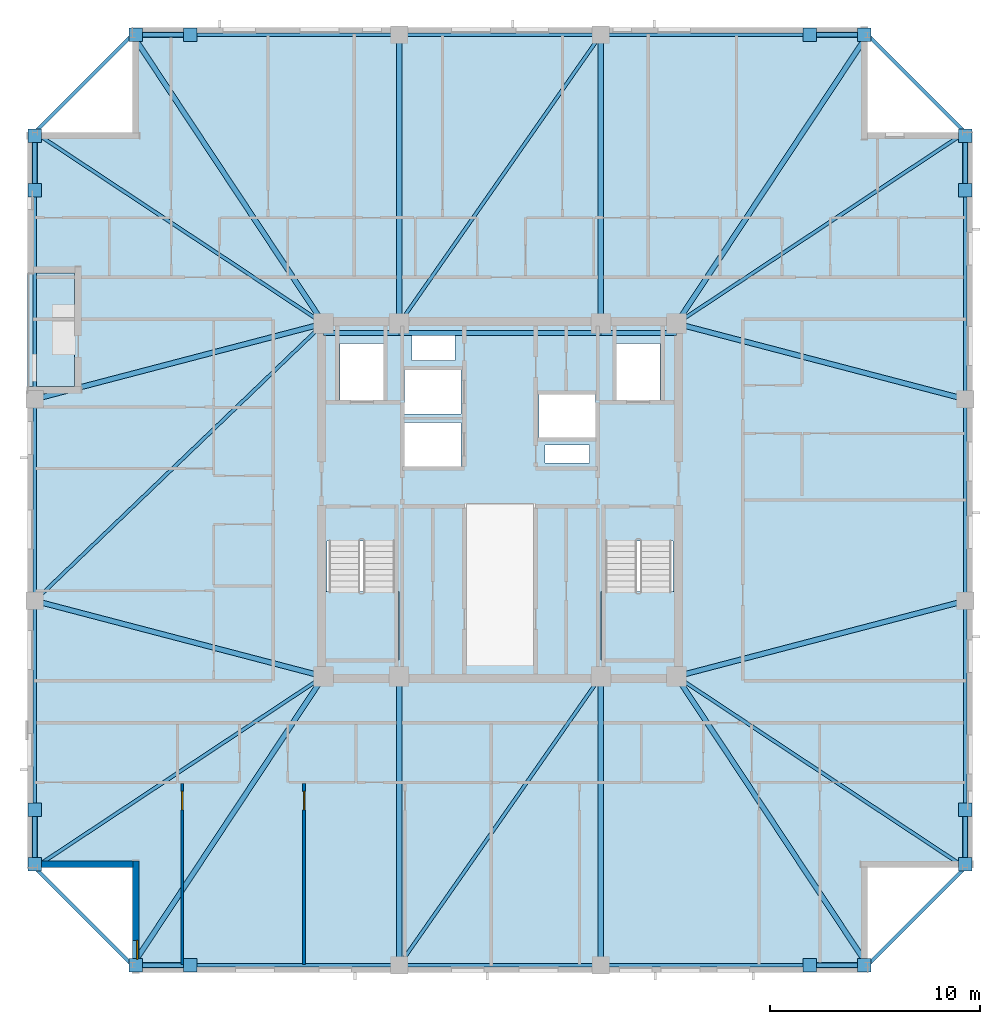
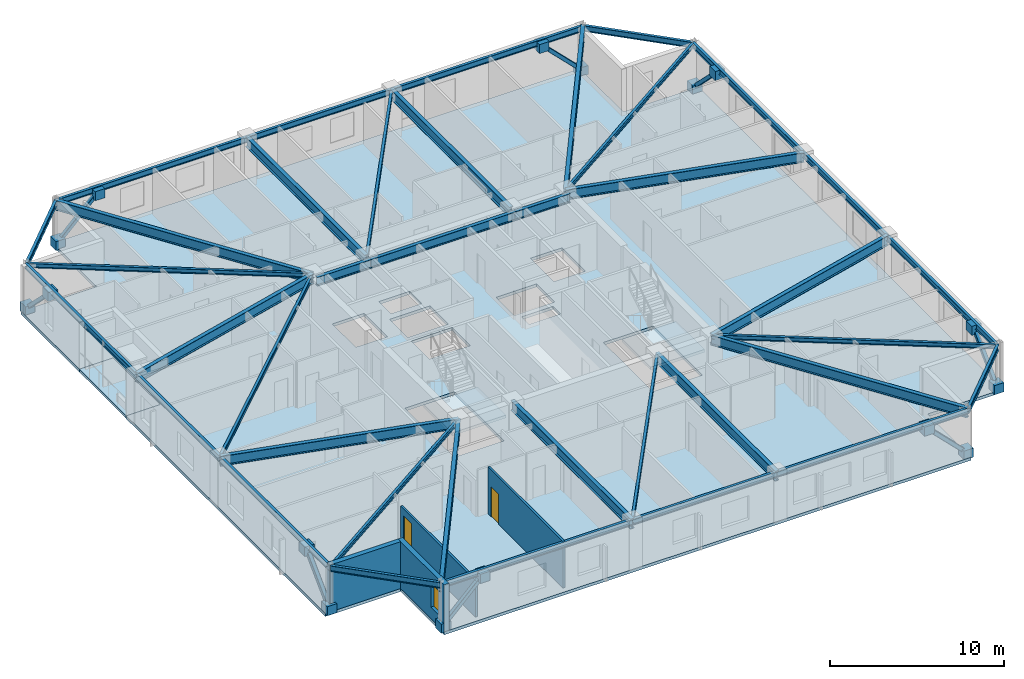
# One storey, part 6 of 17: 38 beams, 16 plates, 8 members, 4 slabs, 4 walls, 2 doors, 1 window, 3 openings, 2 elements without a shape of their own.
"""IFC4 building model written with IfcOpenShell, lengths in metres."""

from ifc_helpers import new_model, si_unit, direction, frame, frame_2d, origin, origin_2d, place, context, subcontext, project, spatial, polyline, rectangle, hollow_rectangle, i_section, outline, extrude, material, layer, layer_set, material_profile, profile_set, type_object, element, fill, aggregate, save


model = new_model("IFC4")

# Units and contexts
model_context = context("Model", 3, precision=1e-05, world=origin(), true_north=direction((0.0, 1.0)))
body_context = subcontext(model_context, "Body", "Model", "MODEL_VIEW")
ifc_project = project(units=[si_unit("LENGTHUNIT", "METRE"), si_unit("AREAUNIT", "SQUARE_METRE"), si_unit("VOLUMEUNIT", "CUBIC_METRE"), si_unit("PLANEANGLEUNIT", "RADIAN"), si_unit("MASSUNIT", "GRAM", prefix="KILO")], contexts=[model_context])

# Site, building, storey
site_placement = place(None, origin())
site = spatial("IfcSite", under=ifc_project, at=site_placement, CompositionType="ELEMENT")
building_placement = place(site_placement, origin())
building = spatial("IfcBuilding", under=site, at=building_placement, Name="Cairnveth Concourse Tower", CompositionType="ELEMENT")
storey_placement = place(building_placement, frame((0.0, 0.0, 227.0)))
storey = spatial("IfcBuildingStorey", under=building, at=storey_placement, Name="L62", CompositionType="ELEMENT", Elevation=227.0)

# Beams
ifc_material_1 = material(Name="Steel Grade 350", Category="steel")
ifc_material_profile_1 = material_profile(ifc_material_1, i_section(OverallWidth=0.22802734375, OverallDepth=0.60693359375, WebThickness=0.01123046875, FlangeThickness=0.017333984375, FilletRadius=0.013916015625, at=origin_2d()), Name="610UB113")
ifc_profile_set_1 = profile_set([ifc_material_profile_1], Name="Steel Grade 350")
beam_type_1 = type_object("IfcBeamType", Name="CORE TIE BEAM 610UB113", PredefinedType="T_BEAM", material=ifc_profile_set_1)
for number, where, z_axis, x_axis, name in (
    (1, (43.60009765625, 46.949951171875, 2.986572265625), (1.0, 0.0, 0.0), (0.0, 1.0, 0.0), "Beam CT-N1 L62"),
    (2, (56.800048828125, 46.949951171875, 2.986572265625), (1.0, 0.0, 0.0), (0.0, 1.0, 0.0), "Beam CT-N3 L62"),
):
    element("IfcBeam", number, at=place(storey_placement, frame(where, z_axis=z_axis, x_axis=x_axis)), inside=storey, type_object=beam_type_1, Name=name, PredefinedType="T_BEAM", context=body_context, shape_type="SweptSolid", body=[
        extrude(i_section(OverallWidth=0.22802734375, OverallDepth=0.60693359375, WebThickness=0.01123046875, FlangeThickness=0.017333984375, FilletRadius=0.013916015625, at=origin_2d()), origin(), (0.0, 0.0, 1.0), 3.599853515625),
    ])
beam_1_placement = place(storey_placement, frame((47.199951171875, 46.949951171875, 2.986572265625), z_axis=(1.0, 0.0, 0.0), x_axis=(0.0, 1.0, 0.0)))
element("IfcBeam", 3, at=beam_1_placement, inside=storey, type_object=beam_type_1, Name="Beam CT-N2 L62", PredefinedType="T_BEAM", context=body_context, shape_type="SweptSolid", body=[
    extrude(i_section(OverallWidth=0.22802734375, OverallDepth=0.60693359375, WebThickness=0.01123046875, FlangeThickness=0.017333984375, FilletRadius=0.013916015625, at=origin_2d()), origin(), (0.0, 0.0, 1.0), 9.60009765625),
])
ifc_material_profile_2 = material_profile(ifc_material_1, i_section(OverallWidth=0.166015625, OverallDepth=0.306884765625, WebThickness=0.006591796875, FlangeThickness=0.01171875, FilletRadius=0.010986328125, at=origin_2d()), Name="310UB46.2")
ifc_profile_set_2 = profile_set([ifc_material_profile_2], Name="Steel Grade 350")
beam_type_2 = type_object("IfcBeamType", Name="ZONE 3 FLOOR JOIST 310UB46.2", PredefinedType="JOIST", material=ifc_profile_set_2)
for number, where, z_axis, x_axis, name in (
    (4, (29.85009765625, 21.5, 3.136474609375), (0.833908956207, 0.551902031848, 0.0), (-0.551902031848, 0.833908956207, 0.0), "Beam FJ-CSW2 L62"),
    (5, (74.14990234375, 21.5, 3.136474609375), (-0.833908956207, 0.551902031848, 0.0), (-0.551902031848, -0.833908956207, 0.0), "Beam FJ-CSE2 L62"),
    (6, (74.14990234375, 56.5, 3.136474609375), (-0.833908956207, -0.551902031848, 0.0), (0.551902031848, -0.833908956207, 0.0), "Beam FJ-CNE2 L62"),
    (7, (29.85009765625, 56.5, 3.136474609375), (0.833908956207, -0.551902031848, 0.0), (0.551902031848, 0.833908956207, 0.0), "Beam FJ-CNW2 L62"),
):
    element("IfcBeam", number, at=place(storey_placement, frame(where, z_axis=z_axis, x_axis=x_axis)), inside=storey, type_object=beam_type_2, Name=name, PredefinedType="JOIST", context=body_context, shape_type="SweptSolid", body=[
        extrude(i_section(OverallWidth=0.166015625, OverallDepth=0.306884765625, WebThickness=0.006591796875, FlangeThickness=0.01171875, FilletRadius=0.010986328125, at=origin_2d()), origin(), (0.0, 0.0, 1.0), 16.488525390625),
    ])
for number, where, z_axis, x_axis, name in (
    (8, (47.199951171875, 16.85009765625, 3.136474609375), (0.572465304893, 0.819928944905, 0.0), (-0.819928944905, 0.572465304893, 0.0), "Beam FJ-S-M1 L62"),
    (9, (47.199951171875, 47.39990234375, 3.136474609375), (0.572465304893, 0.819928944905, 0.0), (-0.819928944905, 0.572465304893, 0.0), "Beam FJ-N-M1 L62"),
):
    element("IfcBeam", number, at=place(storey_placement, frame(where, z_axis=z_axis, x_axis=x_axis)), inside=storey, type_object=beam_type_2, Name=name, PredefinedType="JOIST", context=body_context, shape_type="SweptSolid", body=[
        extrude(i_section(OverallWidth=0.166015625, OverallDepth=0.306884765625, WebThickness=0.006591796875, FlangeThickness=0.01171875, FilletRadius=0.010986328125, at=origin_2d()), origin(), (0.0, 0.0, 1.0), 16.769775390625),
    ])
beam_2_placement = place(storey_placement, frame((29.85009765625, 34.199951171875, 3.136474609375), z_axis=(0.721388600838, 0.692530495055, 0.0), x_axis=(-0.692530495055, 0.721388600838, 0.0)))
element("IfcBeam", 10, at=beam_2_placement, inside=storey, type_object=beam_type_2, Name="Beam FJ-W-M1 L62", PredefinedType="JOIST", context=body_context, shape_type="SweptSolid", body=[
    extrude(i_section(OverallWidth=0.166015625, OverallDepth=0.306884765625, WebThickness=0.006591796875, FlangeThickness=0.01171875, FilletRadius=0.010986328125, at=origin_2d()), origin(), (0.0, 0.0, 1.0), 19.060546875),
])

# Members
ifc_material_2 = material(Name="Steel C350L0 (350 MPa)", Category="steel")
ifc_material_profile_3 = material_profile(ifc_material_2, hollow_rectangle(XDim=0.25, YDim=0.25, WallThickness=0.012451171875, InnerFilletRadius=0.012939453125, OuterFilletRadius=0.02490234375, at=origin_2d()), Name="250x250x12.5SHS")
ifc_profile_set_3 = profile_set([ifc_material_profile_3], Name="Steel C350L0 (350 MPa)")
member_type = type_object("IfcMemberType", Name="ZONE 3 PIER BRACE 250X250X12.5SHS", PredefinedType="BRACE", material=ifc_profile_set_3)
for number, where, z_axis, x_axis, name in (
    (11, (34.64990234375, 16.85009765625, 0.25), (0.708469186186, 0.0, 0.705741746126), (0.0, 1.0, 0.0), "Structural Brace PB-S1 L62"),
    (12, (69.35009765625, 16.85009765625, 0.25), (-0.708469186186, 0.0, 0.705741746126), (0.0, -1.0, 0.0), "Structural Brace PB-S2 L62"),
    (13, (34.64990234375, 61.14990234375, 0.25), (0.708469186186, 0.0, 0.705741746126), (0.0, 1.0, 0.0), "Structural Brace PB-N1 L62"),
    (14, (69.35009765625, 61.14990234375, 0.25), (-0.708469186186, 0.0, 0.705741746126), (0.0, -1.0, 0.0), "Structural Brace PB-N2 L62"),
    (15, (29.85009765625, 21.64990234375, 0.25), (0.0, 0.708469186186, 0.705741746126), (-1.0, 0.0, 0.0), "Structural Brace PB-W1 L62"),
    (16, (29.85009765625, 56.35009765625, 0.25), (0.0, -0.708469186186, 0.705741746126), (1.0, 0.0, 0.0), "Structural Brace PB-W2 L62"),
    (17, (74.14990234375, 21.64990234375, 0.25), (0.0, 0.708469186186, 0.705741746126), (-1.0, 0.0, 0.0), "Structural Brace PB-E1 L62"),
    (18, (74.14990234375, 56.35009765625, 0.25), (0.0, -0.708469186186, 0.705741746126), (1.0, 0.0, 0.0), "Structural Brace PB-E2 L62"),
):
    element("IfcMember", number, at=place(storey_placement, frame(where, z_axis=z_axis, x_axis=x_axis)), inside=storey, type_object=member_type, Name=name, PredefinedType="BRACE", context=body_context, shape_type="SweptSolid", body=[
        extrude(hollow_rectangle(XDim=0.25, YDim=0.25, WallThickness=0.012451171875, InnerFilletRadius=0.012939453125, OuterFilletRadius=0.02490234375, at=origin_2d()), origin(), (0.0, 0.0, 1.0), 3.669921875),
    ])

# Beams
ifc_material_profile_4 = material_profile(ifc_material_1, i_section(OverallWidth=0.25, OverallDepth=0.69189453125, WebThickness=0.010009765625, FlangeThickness=0.02490234375, at=origin_2d()), Name="700WB150")
ifc_profile_set_4 = profile_set([ifc_material_profile_4], Name="Steel Grade 350")
beam_type_3 = type_object("IfcBeamType", Name="ZONE 3 RADIAL GIRDER 700WB150", PredefinedType="BEAM", material=ifc_profile_set_4)
for number, where, z_axis, x_axis, name in (
    (19, (47.199951171875, 16.85009765625, 2.944091796875), (0.0, 1.0, 0.0), (-1.0, 0.0, 0.0), "Beam RG-S1 L62"),
    (20, (56.800048828125, 16.85009765625, 2.944091796875), (0.0, 1.0, 0.0), (-1.0, 0.0, 0.0), "Beam RG-S2 L62"),
    (21, (47.199951171875, 47.39990234375, 2.944091796875), (0.0, 1.0, 0.0), (-1.0, 0.0, 0.0), "Beam RG-N1 L62"),
    (22, (56.800048828125, 47.39990234375, 2.944091796875), (0.0, 1.0, 0.0), (-1.0, 0.0, 0.0), "Beam RG-N2 L62"),
):
    element("IfcBeam", number, at=place(storey_placement, frame(where, z_axis=z_axis, x_axis=x_axis)), inside=storey, type_object=beam_type_3, Name=name, PredefinedType="BEAM", context=body_context, shape_type="SweptSolid", body=[
        extrude(i_section(OverallWidth=0.25, OverallDepth=0.69189453125, WebThickness=0.010009765625, FlangeThickness=0.02490234375, at=origin_2d()), origin(), (0.0, 0.0, 1.0), 13.75),
    ])
for number, where, z_axis, x_axis, name in (
    (23, (29.85009765625, 34.199951171875, 2.944091796875), (0.967395273598, -0.253271365575, 0.0), (0.253271365575, 0.967395273598, 0.0), "Beam RG-W1 L62"),
    (24, (29.85009765625, 43.800048828125, 2.944091796875), (0.967395273598, 0.253271365575, 0.0), (-0.253271365575, 0.967395273598, 0.0), "Beam RG-W2 L62"),
    (25, (60.39990234375, 30.60009765625, 2.944091796875), (0.967395273598, 0.253271365575, 0.0), (-0.253271365575, 0.967395273598, 0.0), "Beam RG-E1 L62"),
    (26, (60.39990234375, 47.39990234375, 2.944091796875), (0.967395273598, -0.253271365575, 0.0), (0.253271365575, 0.967395273598, 0.0), "Beam RG-E2 L62"),
):
    element("IfcBeam", number, at=place(storey_placement, frame(where, z_axis=z_axis, x_axis=x_axis)), inside=storey, type_object=beam_type_3, Name=name, PredefinedType="BEAM", context=body_context, shape_type="SweptSolid", body=[
        extrude(i_section(OverallWidth=0.25, OverallDepth=0.69189453125, WebThickness=0.010009765625, FlangeThickness=0.02490234375, at=origin_2d()), origin(), (0.0, 0.0, 1.0), 14.21337890625),
    ])
for number, where, z_axis, x_axis, name in (
    (27, (34.5, 16.85009765625, 2.944091796875), (0.551902031848, 0.833908956207, 0.0), (-0.833908956207, 0.551902031848, 0.0), "Beam RG-CSW L62"),
    (28, (69.5, 16.85009765625, 2.944091796875), (-0.551902031848, 0.833908956207, 0.0), (-0.833908956207, -0.551902031848, 0.0), "Beam RG-CSE L62"),
    (29, (69.5, 61.14990234375, 2.944091796875), (-0.551902031848, -0.833908956207, 0.0), (0.833908956207, -0.551902031848, 0.0), "Beam RG-CNE L62"),
    (30, (34.5, 61.14990234375, 2.944091796875), (0.551902031848, -0.833908956207, 0.0), (0.833908956207, 0.551902031848, 0.0), "Beam RG-CNW L62"),
):
    element("IfcBeam", number, at=place(storey_placement, frame(where, z_axis=z_axis, x_axis=x_axis)), inside=storey, type_object=beam_type_3, Name=name, PredefinedType="BEAM", context=body_context, shape_type="SweptSolid", body=[
        extrude(i_section(OverallWidth=0.25, OverallDepth=0.69189453125, WebThickness=0.010009765625, FlangeThickness=0.02490234375, at=origin_2d()), origin(), (0.0, 0.0, 1.0), 16.488525390625),
    ])
ifc_material_profile_5 = material_profile(ifc_material_1, i_section(OverallWidth=0.177978515625, OverallDepth=0.406005859375, WebThickness=0.0078125, FlangeThickness=0.0126953125, FilletRadius=0.010986328125, at=origin_2d()), Name="410UB59.7")
ifc_profile_set_5 = profile_set([ifc_material_profile_5], Name="Steel Grade 350")
beam_type_4 = type_object("IfcBeamType", Name="ZONE 3 SPANDREL BEAM 410UB59.7", PredefinedType="SPANDREL", material=ifc_profile_set_5)
beam_3_placement = place(storey_placement, frame((34.5, 16.85009765625, 3.0869140625), z_axis=(1.0, 0.0, 0.0), x_axis=(0.0, 1.0, 0.0)))
element("IfcBeam", 31, at=beam_3_placement, inside=storey, type_object=beam_type_4, Name="Beam SP-S1 L62", PredefinedType="SPANDREL", context=body_context, shape_type="SweptSolid", body=[
    extrude(i_section(OverallWidth=0.177978515625, OverallDepth=0.406005859375, WebThickness=0.0078125, FlangeThickness=0.0126953125, FilletRadius=0.010986328125, at=origin_2d()), origin(), (0.0, 0.0, 1.0), 12.699951171875),
])
beam_4_placement = place(storey_placement, frame((47.199951171875, 16.85009765625, 3.0869140625), z_axis=(1.0, 0.0, 0.0), x_axis=(0.0, 1.0, 0.0)))
element("IfcBeam", 32, at=beam_4_placement, inside=storey, type_object=beam_type_4, Name="Beam SP-S2 L62", PredefinedType="SPANDREL", context=body_context, shape_type="SweptSolid", body=[
    extrude(i_section(OverallWidth=0.177978515625, OverallDepth=0.406005859375, WebThickness=0.0078125, FlangeThickness=0.0126953125, FilletRadius=0.010986328125, at=origin_2d()), origin(), (0.0, 0.0, 1.0), 9.60009765625),
])
for number, where, z_axis, x_axis, name in (
    (33, (56.800048828125, 16.85009765625, 3.0869140625), (1.0, 0.0, 0.0), (0.0, 1.0, 0.0), "Beam SP-S3 L62"),
    (34, (34.5, 61.14990234375, 3.0869140625), (1.0, 0.0, 0.0), (0.0, 1.0, 0.0), "Beam SP-N1 L62"),
):
    element("IfcBeam", number, at=place(storey_placement, frame(where, z_axis=z_axis, x_axis=x_axis)), inside=storey, type_object=beam_type_4, Name=name, PredefinedType="SPANDREL", context=body_context, shape_type="SweptSolid", body=[
        extrude(i_section(OverallWidth=0.177978515625, OverallDepth=0.406005859375, WebThickness=0.0078125, FlangeThickness=0.0126953125, FilletRadius=0.010986328125, at=origin_2d()), origin(), (0.0, 0.0, 1.0), 12.699951171875),
    ])
beam_5_placement = place(storey_placement, frame((47.199951171875, 61.14990234375, 3.0869140625), z_axis=(1.0, 0.0, 0.0), x_axis=(0.0, 1.0, 0.0)))
element("IfcBeam", 35, at=beam_5_placement, inside=storey, type_object=beam_type_4, Name="Beam SP-N2 L62", PredefinedType="SPANDREL", context=body_context, shape_type="SweptSolid", body=[
    extrude(i_section(OverallWidth=0.177978515625, OverallDepth=0.406005859375, WebThickness=0.0078125, FlangeThickness=0.0126953125, FilletRadius=0.010986328125, at=origin_2d()), origin(), (0.0, 0.0, 1.0), 9.60009765625),
])
for number, where, z_axis, x_axis, name in (
    (36, (56.800048828125, 61.14990234375, 3.0869140625), (1.0, 0.0, 0.0), (0.0, 1.0, 0.0), "Beam SP-N3 L62"),
    (37, (29.85009765625, 21.5, 3.0869140625), (0.0, 1.0, 0.0), (-1.0, 0.0, 0.0), "Beam SP-W1 L62"),
):
    element("IfcBeam", number, at=place(storey_placement, frame(where, z_axis=z_axis, x_axis=x_axis)), inside=storey, type_object=beam_type_4, Name=name, PredefinedType="SPANDREL", context=body_context, shape_type="SweptSolid", body=[
        extrude(i_section(OverallWidth=0.177978515625, OverallDepth=0.406005859375, WebThickness=0.0078125, FlangeThickness=0.0126953125, FilletRadius=0.010986328125, at=origin_2d()), origin(), (0.0, 0.0, 1.0), 12.699951171875),
    ])
beam_6_placement = place(storey_placement, frame((29.85009765625, 34.199951171875, 3.0869140625), z_axis=(0.0, 1.0, 0.0), x_axis=(-1.0, 0.0, 0.0)))
element("IfcBeam", 38, at=beam_6_placement, inside=storey, type_object=beam_type_4, Name="Beam SP-W2 L62", PredefinedType="SPANDREL", context=body_context, shape_type="SweptSolid", body=[
    extrude(i_section(OverallWidth=0.177978515625, OverallDepth=0.406005859375, WebThickness=0.0078125, FlangeThickness=0.0126953125, FilletRadius=0.010986328125, at=origin_2d()), origin(), (0.0, 0.0, 1.0), 9.60009765625),
])
for number, where, z_axis, x_axis, name in (
    (39, (29.85009765625, 43.800048828125, 3.0869140625), (0.0, 1.0, 0.0), (-1.0, 0.0, 0.0), "Beam SP-W3 L62"),
    (40, (74.14990234375, 21.5, 3.0869140625), (0.0, 1.0, 0.0), (-1.0, 0.0, 0.0), "Beam SP-E1 L62"),
):
    element("IfcBeam", number, at=place(storey_placement, frame(where, z_axis=z_axis, x_axis=x_axis)), inside=storey, type_object=beam_type_4, Name=name, PredefinedType="SPANDREL", context=body_context, shape_type="SweptSolid", body=[
        extrude(i_section(OverallWidth=0.177978515625, OverallDepth=0.406005859375, WebThickness=0.0078125, FlangeThickness=0.0126953125, FilletRadius=0.010986328125, at=origin_2d()), origin(), (0.0, 0.0, 1.0), 12.699951171875),
    ])
beam_7_placement = place(storey_placement, frame((74.14990234375, 34.199951171875, 3.0869140625), z_axis=(0.0, 1.0, 0.0), x_axis=(-1.0, 0.0, 0.0)))
element("IfcBeam", 41, at=beam_7_placement, inside=storey, type_object=beam_type_4, Name="Beam SP-E2 L62", PredefinedType="SPANDREL", context=body_context, shape_type="SweptSolid", body=[
    extrude(i_section(OverallWidth=0.177978515625, OverallDepth=0.406005859375, WebThickness=0.0078125, FlangeThickness=0.0126953125, FilletRadius=0.010986328125, at=origin_2d()), origin(), (0.0, 0.0, 1.0), 9.60009765625),
])
beam_8_placement = place(storey_placement, frame((74.14990234375, 43.800048828125, 3.0869140625), z_axis=(0.0, 1.0, 0.0), x_axis=(-1.0, 0.0, 0.0)))
element("IfcBeam", 42, at=beam_8_placement, inside=storey, type_object=beam_type_4, Name="Beam SP-E3 L62", PredefinedType="SPANDREL", context=body_context, shape_type="SweptSolid", body=[
    extrude(i_section(OverallWidth=0.177978515625, OverallDepth=0.406005859375, WebThickness=0.0078125, FlangeThickness=0.0126953125, FilletRadius=0.010986328125, at=origin_2d()), origin(), (0.0, 0.0, 1.0), 12.699951171875),
])
for number, where, z_axis, x_axis, name in (
    (43, (29.85009765625, 21.5, 3.0869140625), (0.707106781187, -0.707106781187, 0.0), (0.707106781187, 0.707106781187, 0.0), "Beam SP-SW L62"),
    (44, (69.5, 16.85009765625, 3.0869140625), (0.707106781187, 0.707106781187, 0.0), (-0.707106781187, 0.707106781187, 0.0), "Beam SP-SE L62"),
    (45, (69.5, 61.14990234375, 3.0869140625), (0.707106781187, -0.707106781187, 0.0), (0.707106781187, 0.707106781187, 0.0), "Beam SP-NE L62"),
    (46, (29.85009765625, 56.5, 3.0869140625), (0.707106781187, 0.707106781187, 0.0), (-0.707106781187, 0.707106781187, 0.0), "Beam SP-NW L62"),
):
    element("IfcBeam", number, at=place(storey_placement, frame(where, z_axis=z_axis, x_axis=x_axis)), inside=storey, type_object=beam_type_4, Name=name, PredefinedType="SPANDREL", context=body_context, shape_type="SweptSolid", body=[
        extrude(i_section(OverallWidth=0.177978515625, OverallDepth=0.406005859375, WebThickness=0.0078125, FlangeThickness=0.0126953125, FilletRadius=0.010986328125, at=origin_2d()), origin(), (0.0, 0.0, 1.0), 6.575927734375),
    ])

# Plates
ifc_layer_1 = layer(ifc_material_1, 0.031982421875)
ifc_layer_set_1 = layer_set([ifc_layer_1], Name="Steel Grade 350")
plate_type = type_object("IfcPlateType", Name="PERIMETER BRACE GUSSET PLATE 32", PredefinedType="USERDEFINED", material=ifc_layer_set_1)
for number, where, z_axis, x_axis, name in (
    (47, (34.64990234375, 16.85009765625, -0.06982421875), (0.0, 0.0, 1.0), (1.0, 0.0, 0.0), "Structural Node Plate 1077 L62"),
    (48, (37.25, 16.85009765625, 2.52001953125), (0.0, 0.0, 1.0), (1.0, 0.0, 0.0), "Structural Node Plate 1078 L62"),
    (49, (69.35009765625, 16.85009765625, -0.06982421875), (0.0, 0.0, 1.0), (1.0, 0.0, 0.0), "Structural Node Plate 1079 L62"),
    (50, (66.75, 16.85009765625, 2.52001953125), (0.0, 0.0, 1.0), (1.0, 0.0, 0.0), "Structural Node Plate 1080 L62"),
    (51, (34.64990234375, 61.14990234375, -0.06982421875), (0.0, 0.0, 1.0), (1.0, 0.0, 0.0), "Structural Node Plate 1081 L62"),
    (52, (37.25, 61.14990234375, 2.52001953125), (0.0, 0.0, 1.0), (1.0, 0.0, 0.0), "Structural Node Plate 1082 L62"),
    (53, (69.35009765625, 61.14990234375, -0.06982421875), (0.0, 0.0, 1.0), (1.0, 0.0, 0.0), "Structural Node Plate 1083 L62"),
    (54, (66.75, 61.14990234375, 2.52001953125), (0.0, 0.0, 1.0), (1.0, 0.0, 0.0), "Structural Node Plate 1084 L62"),
    (55, (29.85009765625, 21.64990234375, -0.06982421875), (0.0, 0.0, 1.0), (1.0, 0.0, 0.0), "Structural Node Plate 1085 L62"),
    (56, (29.85009765625, 24.25, 2.52001953125), (0.0, 0.0, 1.0), (1.0, 0.0, 0.0), "Structural Node Plate 1086 L62"),
    (57, (29.85009765625, 56.35009765625, -0.06982421875), (0.0, 0.0, 1.0), (1.0, 0.0, 0.0), "Structural Node Plate 1087 L62"),
    (58, (29.85009765625, 53.75, 2.52001953125), (0.0, 0.0, 1.0), (1.0, 0.0, 0.0), "Structural Node Plate 1088 L62"),
    (59, (74.14990234375, 21.64990234375, -0.06982421875), (0.0, 0.0, 1.0), (1.0, 0.0, 0.0), "Structural Node Plate 1089 L62"),
    (60, (74.14990234375, 24.25, 2.52001953125), (0.0, 0.0, 1.0), (1.0, 0.0, 0.0), "Structural Node Plate 1090 L62"),
    (61, (74.14990234375, 56.35009765625, -0.06982421875), (0.0, 0.0, 1.0), (1.0, 0.0, 0.0), "Structural Node Plate 1091 L62"),
    (62, (74.14990234375, 53.75, 2.52001953125), (0.0, 0.0, 1.0), (1.0, 0.0, 0.0), "Structural Node Plate 1092 L62"),
):
    element("IfcPlate", number, at=place(storey_placement, frame(where, z_axis=z_axis, x_axis=x_axis)), inside=storey, type_object=plate_type, Name=name, ObjectType="GUSSET PLATE", PredefinedType="USERDEFINED", context=body_context, shape_type="SweptSolid", body=[
        extrude(rectangle(XDim=0.639892578125, YDim=0.639892578125, at=origin_2d()), origin(), (0.0, 0.0, 1.0), 0.639892578125),
    ])

# Slab
ifc_material_3 = material(Name="Concrete N50 (50 MPa)", Category="concrete")
ifc_layer_2 = layer(ifc_material_3, 0.18994140625)
ifc_layer_set_2 = layer_set([ifc_layer_2], Name="Concrete N50 (50 MPa)")
slab_type_1 = type_object("IfcSlabType", Name="SPIRAL OUTDOOR TERRACE SLAB 190", PredefinedType="FLOOR", material=ifc_layer_set_2)
slab_1_placement = place(storey_placement, frame((0.0, 0.0, -0.18994140625)))
element("IfcSlab", 63, at=slab_1_placement, inside=storey, type_object=slab_type_1, Name="Spiral Terrace Slab L62", PredefinedType="FLOOR", context=body_context, shape_type="SweptSolid", body=[
    extrude(outline(polyline([(29.5, 44.39990234375), (31.75, 44.39990234375), (31.75, 49.800048828125), (29.5, 49.800048828125), (29.5, 44.39990234375)])), origin(), (0.0, 0.0, 1.0), 0.18994140625),
])

# Stair, slab
ifc_material_4 = material(Name="Precast concrete N50 (50 MPa)", Category="concrete")
stair_type = type_object("IfcStairType", Name="CORE DOG-LEG FIRE STAIR 1500", PredefinedType="HALF_TURN_STAIR", material=ifc_material_4)
stair_1_placement = place(storey_placement, origin())
stair_1 = element("IfcStair", 64, at=stair_1_placement, inside=storey, type_object=stair_type, Name="L62 Fire-Isolated Stair ST-1", PredefinedType="HALF_TURN_STAIR")
ifc_layer_3 = layer(ifc_material_3, 0.199951171875)
ifc_layer_set_3 = layer_set([ifc_layer_3], Name="Concrete N50 (50 MPa)")
slab_type_2 = type_object("IfcSlabType", Name="STAIR HALF LANDING SLAB 200", PredefinedType="LANDING", material=ifc_layer_set_3)
slab_2_placement = place(storey_placement, frame((0.0, 0.0, 1.550048828125)))
slab_2 = element("IfcSlab", 65, at=slab_2_placement, type_object=slab_type_2, Name="ST-1 landing 1", PredefinedType="LANDING", context=body_context, shape_type="SweptSolid", body=[
    extrude(outline(polyline([(43.6201171875, 34.639892578125), (43.6201171875, 31.3701171875), (47.199951171875, 31.3701171875), (47.199951171875, 34.639892578125), (43.6201171875, 34.639892578125)])), origin(), (0.0, 0.0, 1.0), 0.199951171875),
])
aggregate(stair_1, [slab_2])

stair_2_placement = place(storey_placement, origin())
stair_2 = element("IfcStair", 66, at=stair_2_placement, inside=storey, type_object=stair_type, Name="L62 Fire-Isolated Stair ST-2", PredefinedType="HALF_TURN_STAIR")
slab_3_placement = place(storey_placement, frame((0.0, 0.0, 1.550048828125)))
slab_3 = element("IfcSlab", 67, at=slab_3_placement, type_object=slab_type_2, Name="ST-2 landing 1", PredefinedType="LANDING", context=body_context, shape_type="SweptSolid", body=[
    extrude(outline(polyline([(56.800048828125, 34.639892578125), (56.800048828125, 31.3701171875), (60.3798828125, 31.3701171875), (60.3798828125, 34.639892578125), (56.800048828125, 34.639892578125)])), origin(), (0.0, 0.0, 1.0), 0.199951171875),
])
aggregate(stair_2, [slab_3])

# Slab
ifc_layer_4 = layer(ifc_material_3, 0.2099609375)
ifc_layer_set_4 = layer_set([ifc_layer_4], Name="Concrete N50 (50 MPa)")
slab_type_3 = type_object("IfcSlabType", Name="UPPER TOWER COMPOSITE SLAB 210", PredefinedType="FLOOR", material=ifc_layer_set_4)
slab_4_placement = place(storey_placement, frame((0.0, 0.0, -0.2099609375)))
element("IfcSlab", 68, at=slab_4_placement, inside=storey, type_object=slab_type_3, Name="Tower Floor Slab L62", PredefinedType="FLOOR", context=body_context, shape_type="SweptSolid", body=[
    extrude(outline(polyline([(29.5, 49.800048828125), (31.75, 49.800048828125), (31.75, 44.39990234375), (29.5, 44.39990234375), (29.5, 21.5), (34.5, 21.5), (34.5, 16.5), (69.5, 16.5), (69.5, 21.5), (74.5, 21.5), (74.5, 56.5), (69.5, 56.5), (69.5, 61.5), (34.5, 61.5), (34.5, 56.5), (29.5, 56.5), (29.5, 49.800048828125)]), holes=[polyline([(43.760009765625, 31.360107421875), (47.06005859375, 31.360107421875), (47.06005859375, 37.0400390625), (43.760009765625, 37.0400390625), (43.760009765625, 31.360107421875)]), polyline([(56.93994140625, 31.360107421875), (60.239990234375, 31.360107421875), (60.239990234375, 37.0400390625), (56.93994140625, 37.0400390625), (56.93994140625, 31.360107421875)]), polyline([(44.3701171875, 43.75), (46.469970703125, 43.75), (46.469970703125, 46.449951171875), (44.3701171875, 46.449951171875), (44.3701171875, 43.75)]), polyline([(57.530029296875, 43.75), (59.6298828125, 43.75), (59.6298828125, 46.449951171875), (57.530029296875, 46.449951171875), (57.530029296875, 43.75)]), polyline([(47.449951171875, 40.60009765625), (50.14990234375, 40.60009765625), (50.14990234375, 42.699951171875), (47.449951171875, 42.699951171875), (47.449951171875, 40.60009765625)]), polyline([(47.449951171875, 43.10009765625), (50.14990234375, 43.10009765625), (50.14990234375, 45.199951171875), (47.449951171875, 45.199951171875), (47.449951171875, 43.10009765625)]), polyline([(53.85009765625, 41.949951171875), (56.550048828125, 41.949951171875), (56.550048828125, 44.050048828125), (53.85009765625, 44.050048828125), (53.85009765625, 41.949951171875)]), polyline([(47.800048828125, 45.64990234375), (49.85009765625, 45.64990234375), (49.85009765625, 47.050048828125), (47.800048828125, 47.050048828125), (47.800048828125, 45.64990234375)]), polyline([(54.14990234375, 40.75), (56.25, 40.75), (56.25, 41.6201171875), (54.14990234375, 41.6201171875), (54.14990234375, 40.75)])]), origin(), (0.0, 0.0, 1.0), 0.2099609375),
])

# Wall, opening, door
ifc_material_5 = material(Name="Gypsum Plasterboard Partition", Category="gypsum")
ifc_layer_5 = layer(ifc_material_5, 0.139892578125)
ifc_layer_set_5 = layer_set([ifc_layer_5], Name="Gypsum Plasterboard Partition")
wall_type_1 = type_object("IfcWallType", Name="GYPSUM STUD PARTITION 140", PredefinedType="PARTITIONING", material=ifc_layer_set_5)
wall_1_placement = place(storey_placement, frame((36.8701171875, 16.8798828125, 0.0), z_axis=(0.0, 0.0, 1.0), x_axis=(0.0, 1.0, 0.0)))
wall_1 = element("IfcWall", 69, at=wall_1_placement, inside=storey, type_object=wall_type_1, Name="Interior Wall IW-L62-050", PredefinedType="PARTITIONING", context=body_context, shape_type="SweptSolid", body=[
    extrude(rectangle(XDim=8.627685546875, YDim=0.139892578125, at=frame_2d((4.31396484375, 0.0))), origin(), (0.0, 0.0, 1.0), 2.572998046875),
])
opening_1_placement = place(wall_1_placement, frame((7.367431640625, 0.0, 0.0)))
opening_1 = element("IfcOpeningElement", 70, at=opening_1_placement, cuts=wall_1, Name="Opening ID18", PredefinedType="OPENING", context=body_context, shape_type="SweptSolid", body=[
    extrude(rectangle(XDim=0.8798828125, YDim=2.10009765625, at=frame_2d((0.43994140625, 1.050048828125))), frame((0.0, 0.079833984375, 0.0), z_axis=(0.0, -1.0, 0.0), x_axis=(1.0, 0.0, 0.0)), (0.0, 0.0, 1.0), 0.159912109375),
])
ifc_material_6 = material(Name="Solid Core Hardwood Timber Leaf", Category="wood")
door_type = type_object("IfcDoorType", Name="INTERIOR SINGLE DOOR 880X2100", OperationType="NOTDEFINED", PredefinedType="DOOR", material=ifc_material_6)
door_1_placement = place(opening_1_placement, origin())
door_1 = element("IfcDoor", 71, at=door_1_placement, inside=storey, type_object=door_type, Name="L62S1 Master Bedroom Door", OperationType="SINGLE_SWING_RIGHT", OverallHeight=2.10009765625, OverallWidth=0.8798828125, PredefinedType="DOOR", context=body_context, shape_type="SweptSolid", body=[
    extrude(rectangle(XDim=0.8798828125, YDim=2.10009765625, at=frame_2d((0.43994140625, 1.050048828125))), frame((0.0, 0.02490234375, 0.0), z_axis=(0.0, -1.0, 0.0), x_axis=(1.0, 0.0, 0.0)), (0.0, 0.0, 1.0), 0.050048828125),
])
fill(opening_1, door_1)

wall_2_placement = place(storey_placement, frame((42.669921875, 16.8798828125, 0.0), z_axis=(0.0, 0.0, 1.0), x_axis=(0.0, 1.0, 0.0)))
wall_2 = element("IfcWall", 72, at=wall_2_placement, inside=storey, type_object=wall_type_1, Name="Interior Wall IW-L62-054", PredefinedType="PARTITIONING", context=body_context, shape_type="SweptSolid", body=[
    extrude(rectangle(XDim=8.627685546875, YDim=0.139892578125, at=frame_2d((4.31396484375, 0.0))), origin(), (0.0, 0.0, 1.0), 3.2900390625),
])
opening_2_placement = place(wall_2_placement, frame((7.367431640625, 0.0, 0.0)))
opening_2 = element("IfcOpeningElement", 73, at=opening_2_placement, cuts=wall_2, Name="Opening ID18", PredefinedType="OPENING", context=body_context, shape_type="SweptSolid", body=[
    extrude(rectangle(XDim=0.8798828125, YDim=2.10009765625, at=frame_2d((0.43994140625, 1.050048828125))), frame((0.0, 0.079833984375, 0.0), z_axis=(0.0, -1.0, 0.0), x_axis=(1.0, 0.0, 0.0)), (0.0, 0.0, 1.0), 0.159912109375),
])
door_2_placement = place(opening_2_placement, origin())
door_2 = element("IfcDoor", 74, at=door_2_placement, inside=storey, type_object=door_type, Name="L62S1 Media Lounge Door", OperationType="SINGLE_SWING_LEFT", OverallHeight=2.10009765625, OverallWidth=0.8798828125, PredefinedType="DOOR", context=body_context, shape_type="SweptSolid", body=[
    extrude(rectangle(XDim=0.8798828125, YDim=2.10009765625, at=frame_2d((0.43994140625, 1.050048828125))), frame((0.0, 0.02490234375, 0.0), z_axis=(0.0, -1.0, 0.0), x_axis=(1.0, 0.0, 0.0)), (0.0, 0.0, 1.0), 0.050048828125),
])
fill(opening_2, door_2)

# Wall, opening, window
ifc_material_7 = material(Name="Melbourne Buff Fired Clay Brick Masonry", Category="masonry")
ifc_layer_6 = layer(ifc_material_7, 0.320068359375)
ifc_layer_set_6 = layer_set([ifc_layer_6], Name="Melbourne Buff Fired Clay Brick Masonry")
wall_type_2 = type_object("IfcWallType", Name="ZONE 3 BRICK PIER SPANDREL WALL 320", PredefinedType="SOLIDWALL", material=ifc_layer_set_6)
wall_3_placement = place(storey_placement, frame((34.659912109375, 16.5, 0.0), z_axis=(0.0, 0.0, 1.0), x_axis=(0.0, 1.0, 0.0)))
wall_3 = element("IfcWall", 75, at=wall_3_placement, inside=storey, type_object=wall_type_2, Name="Exterior Wall EW-L62-S10", PredefinedType="SOLIDWALL", context=body_context, shape_type="SweptSolid", body=[
    extrude(rectangle(XDim=5.320068359375, YDim=0.320068359375, at=frame_2d((2.66015625, 0.0))), origin(), (0.0, 0.0, 1.0), 3.2900390625),
])
opening_3_placement = place(wall_3_placement, frame((0.6298828125, 0.0, 0.800048828125)))
opening_3 = element("IfcOpeningElement", 76, at=opening_3_placement, cuts=wall_3, Name="Opening W13", PredefinedType="OPENING", context=body_context, shape_type="SweptSolid", body=[
    extrude(rectangle(XDim=0.89990234375, YDim=1.677978515625, at=frame_2d((0.449951171875, 0.8388671875))), frame((0.0, 0.169921875, 0.0), z_axis=(0.0, -1.0, 0.0), x_axis=(1.0, 0.0, 0.0)), (0.0, 0.0, 1.0), 0.340087890625),
])
ifc_material_8 = material(Name="Double Glazed Low-E Clear Glass", Category="glass")
window_type = type_object("IfcWindowType", Name="DEEP-SET BEDROOM LANCET WINDOW 900X1750", PartitioningType="DOUBLE_PANEL_VERTICAL", PredefinedType="WINDOW", material=ifc_material_8)
window_placement = place(opening_3_placement, origin())
window = element("IfcWindow", 77, at=window_placement, inside=storey, type_object=window_type, Name="Dwelling Lancet Window L62-DW1", OverallHeight=1.677978515625, OverallWidth=0.89990234375, PartitioningType="SINGLE_PANEL", PredefinedType="WINDOW", context=body_context, shape_type="SweptSolid", body=[
    extrude(rectangle(XDim=0.89990234375, YDim=1.677978515625, at=frame_2d((0.449951171875, 0.8388671875))), frame((0.0, -0.0400390625, 0.0), z_axis=(0.0, -1.0, 0.0), x_axis=(1.0, 0.0, 0.0)), (0.0, 0.0, 1.0), 0.06005859375),
])
fill(opening_3, window)

# Wall
wall_4_placement = place(storey_placement, frame((34.52197265625, 21.659912109375, 0.0), z_axis=(0.0, 0.0, 1.0), x_axis=(-1.0, 0.0, 0.0)))
element("IfcWall", 78, at=wall_4_placement, inside=storey, type_object=wall_type_2, Name="Exterior Wall EW-L62-S11", PredefinedType="SOLIDWALL", context=body_context, shape_type="SweptSolid", body=[
    extrude(rectangle(XDim=4.723876953125, YDim=0.320068359375, at=frame_2d((2.36181640625, 0.0))), origin(), (0.0, 0.0, 1.0), 3.2900390625),
])

save(model, "model.ifc")
